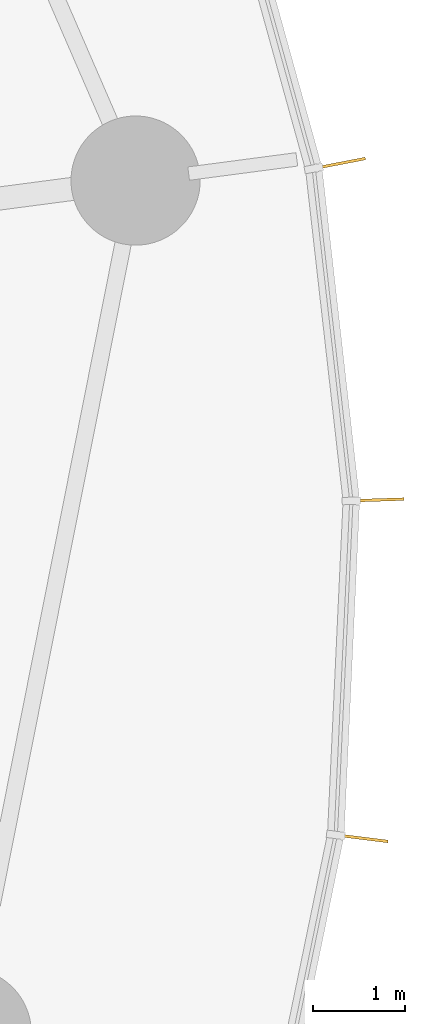
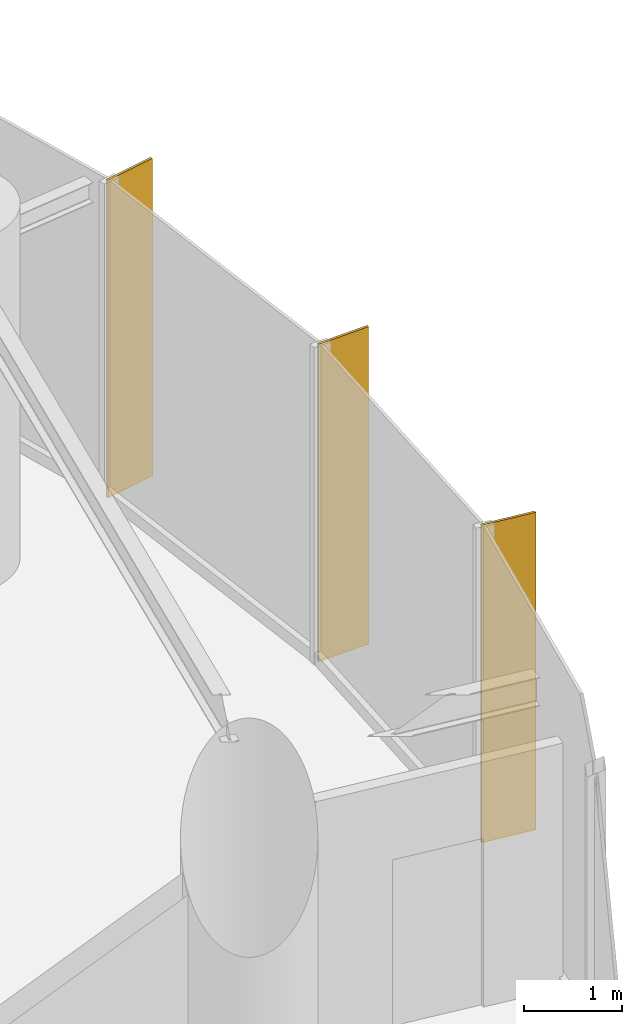
# One storey, part 19 of 19: 3 shading devices.
"""IFC4 building model written with IfcOpenShell, lengths in metres."""

from ifc_helpers import new_model, si_unit, direction, frame, origin, origin_2d, place, context, subcontext, project, spatial, rectangle, extrude, source, transform, mapped, material, material_profile, profile_set, type_object, element, save


model = new_model("IFC4")

# Units and contexts
model_context = context("Model", 3, precision=1e-05, world=origin(), true_north=direction((0.0, 1.0)))
body_context = subcontext(model_context, "Body", "Model", "MODEL_VIEW")
ifc_project = project(units=[si_unit("LENGTHUNIT", "METRE"), si_unit("AREAUNIT", "SQUARE_METRE"), si_unit("VOLUMEUNIT", "CUBIC_METRE"), si_unit("PLANEANGLEUNIT", "RADIAN"), si_unit("MASSUNIT", "GRAM", prefix="KILO")], contexts=[model_context])

# Site, building, storey
site_placement = place(None, origin())
site = spatial("IfcSite", under=ifc_project, at=site_placement, CompositionType="ELEMENT")
building_placement = place(site_placement, origin())
building = spatial("IfcBuilding", under=site, at=building_placement, Name="Spindrift Exchange Tower", CompositionType="ELEMENT")
storey_placement = place(building_placement, frame((0.0, 0.0, 27.0)))
storey = spatial("IfcBuildingStorey", under=building, at=storey_placement, Name="L06", CompositionType="ELEMENT", Elevation=27.0)

# Shading devices
ifc_material = material(Name="Bronze anodised aluminium", Category="aluminium")
ifc_material_profile = material_profile(ifc_material, rectangle(XDim=0.030029296875, YDim=0.60009765625, at=origin_2d()), Name="WIND FIN 30X600")
ifc_profile_set = profile_set([ifc_material_profile], Name="Bronze anodised aluminium")
shading_device_type = type_object("IfcShadingDeviceType", Name="WIND FIN 30X600", PredefinedType="USERDEFINED", material=ifc_profile_set)
shared_shape = source(origin(), body_context, "Body", "SweptSolid", [
    extrude(rectangle(XDim=0.030029296875, YDim=0.60009765625, at=origin_2d()), origin(), (0.0, 0.0, 1.0), 3.949951171875),
])
for number, where, z_axis, x_axis, name in (
    (1, (90.598876953125, 49.277099609375, 0.0), (0.0, 0.0, 1.0), (-0.03307668165, 0.999452816861, 0.0), "L06 wind fin 2"),
    (2, (90.18603515625, 52.920654296875, 0.0), (0.0, 0.0, 1.0), (-0.190183615838, 0.981748538204, 0.0), "L06 wind fin 3"),
    (3, (90.427978515625, 45.614013671875, 0.0), (0.0, 0.0, 1.0), (0.124869159966, 0.99217321718, 0.0), "L06 wind fin 4"),
):
    element("IfcShadingDevice", number, at=place(storey_placement, frame(where, z_axis=z_axis, x_axis=x_axis)), inside=storey, type_object=shading_device_type, Name=name, ObjectType="FIN", PredefinedType="USERDEFINED", context=body_context, shape_type="MappedRepresentation", body=[
        mapped(shared_shape, transform((0.0, 0.0, 0.0), scale=1.0)),
    ])

save(model, "model.ifc")
